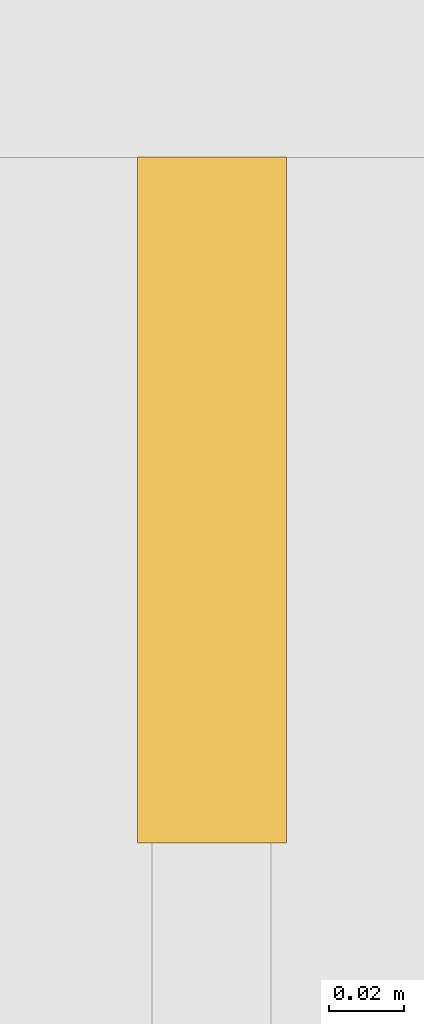
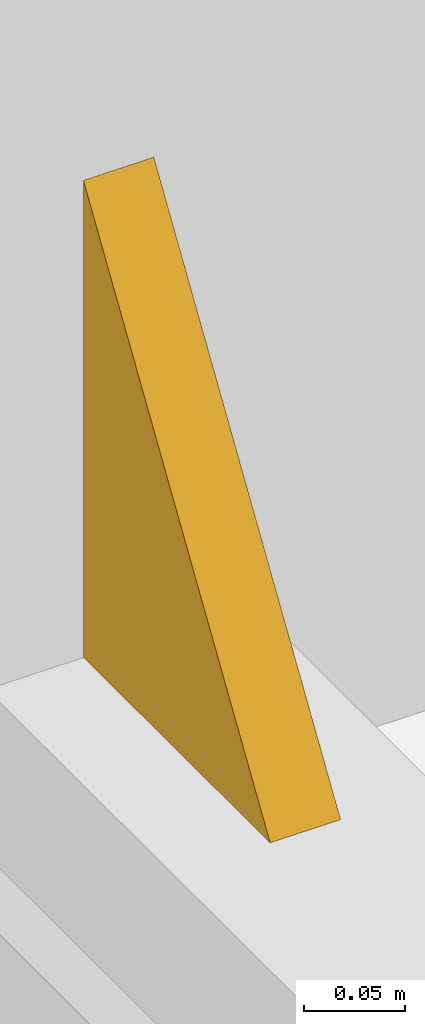
# One storey, part 12 of 15: 1 covering.
"""IFC4 building model written with IfcOpenShell, lengths in metres."""

from ifc_helpers import new_model, si_unit, direction, frame, origin, place, context, subcontext, project, spatial, polyline, outline, extrude, material, layer, layer_set, type_object, element, save


model = new_model("IFC4")

# Units and contexts
model_context = context("Model", 3, precision=1e-05, world=origin(), true_north=direction((0.0, 1.0)))
body_context = subcontext(model_context, "Body", "Model", "MODEL_VIEW")
ifc_project = project(units=[si_unit("LENGTHUNIT", "METRE"), si_unit("AREAUNIT", "SQUARE_METRE"), si_unit("VOLUMEUNIT", "CUBIC_METRE"), si_unit("PLANEANGLEUNIT", "RADIAN"), si_unit("MASSUNIT", "GRAM", prefix="KILO")], contexts=[model_context])

# Site, building, storey
site_placement = place(None, origin())
site = spatial("IfcSite", under=ifc_project, at=site_placement, CompositionType="ELEMENT")
building_placement = place(site_placement, origin())
building = spatial("IfcBuilding", under=site, at=building_placement, Name="Malebo Sky Hospital", CompositionType="ELEMENT")
storey_placement = place(building_placement, frame((0.0, 0.0, 217.0)))
storey = spatial("IfcBuildingStorey", under=building, at=storey_placement, Name="L52", CompositionType="ELEMENT", Elevation=217.0)

# Covering
ifc_material = material(Name="Anodised aluminium, natural silver insulated infill panel", Category="aluminium")
ifc_layer = layer(ifc_material, 0.0400390625)
ifc_layer_set = layer_set([ifc_layer], Name="BRACE INFILL PANEL 40")
covering_type = type_object("IfcCoveringType", Name="BRACE INFILL PANEL 40", PredefinedType="CLADDING", material=ifc_layer_set)
covering_placement = place(storey_placement, frame((37.425048828125, 45.070556640625, 0.10009765625), z_axis=(0.0, 0.0, 1.0), x_axis=(0.0, 1.0, 0.0)))
element("IfcCovering", 1, at=covering_placement, inside=storey, type_object=covering_type, Name="Brace infill panel 1.1", PredefinedType="CLADDING", context=body_context, shape_type="SweptSolid", body=[
    extrude(outline(polyline([(-0.092041015625, 0.0), (0.092041015625, 0.0), (0.092041015625, 0.286865234375), (-0.092041015625, 0.0)])), frame((0.0, 0.02001953125, 0.0), z_axis=(0.0, -1.0, 0.0), x_axis=(1.0, 0.0, 0.0)), (0.0, 0.0, 1.0), 0.0400390625),
])

save(model, "model.ifc")
